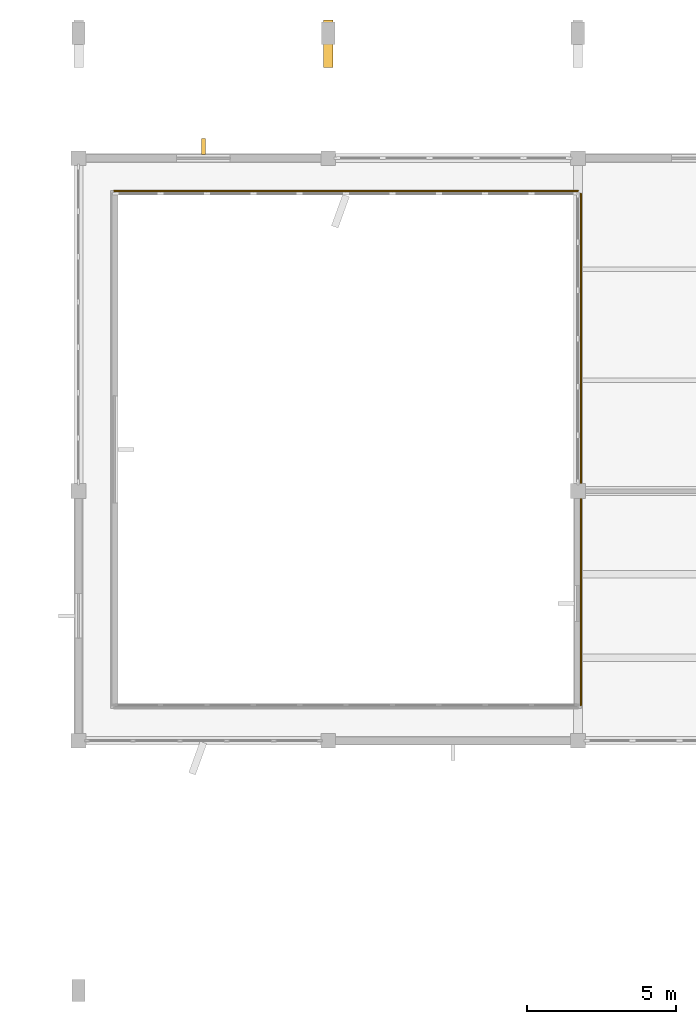
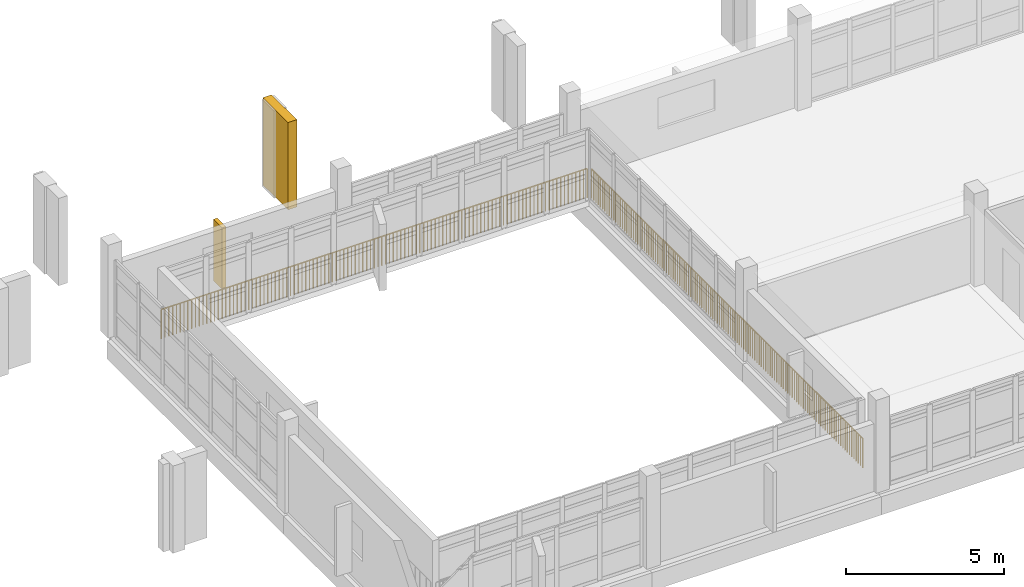
# One storey, part 95 of 104: 2 railings, 1 covering, 1 shading device.
"""IFC4 building model written with IfcOpenShell, lengths in metres."""

from ifc_helpers import new_model, si_unit, direction, frame, origin, origin_2d, place, context, subcontext, project, spatial, rectangle, circle, extrude, material, layer, layer_set, type_object, element, save


model = new_model("IFC4")

# Units and contexts
model_context = context("Model", 3, precision=1e-05, world=origin(), true_north=direction((0.0, 1.0)))
body_context = subcontext(model_context, "Body", "Model", "MODEL_VIEW")
ifc_project = project(units=[si_unit("LENGTHUNIT", "METRE"), si_unit("AREAUNIT", "SQUARE_METRE"), si_unit("VOLUMEUNIT", "CUBIC_METRE"), si_unit("PLANEANGLEUNIT", "RADIAN"), si_unit("MASSUNIT", "GRAM", prefix="KILO")], contexts=[model_context])

# Site, building, storey
site_placement = place(None, origin())
site = spatial("IfcSite", under=ifc_project, at=site_placement, CompositionType="ELEMENT")
building_placement = place(site_placement, origin())
building = spatial("IfcBuilding", under=site, at=building_placement, Name="Vanh Quang Courtyard School", CompositionType="ELEMENT")
storey_placement = place(building_placement, frame((0.0, 0.0, 4.199951171875)))
storey = spatial("IfcBuildingStorey", under=building, at=storey_placement, Name="L01", CompositionType="ELEMENT", Elevation=4.199951171875)

# Covering
ifc_material_1 = material(Name="Board-marked precast concrete C40/50", Category="concrete")
ifc_layer = layer(ifc_material_1, 0.239990234375)
ifc_layer_set = layer_set([ifc_layer], Name="Board-marked precast concrete C40/50")
covering_type = type_object("IfcCoveringType", Name="COV-HOOD-CONC", PredefinedType="CLADDING", material=ifc_layer_set)
covering_placement = place(storey_placement, frame((12.60009765625, 111.64990234375, 0.0), z_axis=(0.0, 0.0, 1.0), x_axis=(0.0, 1.0, 0.0)))
element("IfcCovering", 1, at=covering_placement, inside=storey, type_object=covering_type, Name="Covering CH-01 (L01)", PredefinedType="CLADDING", context=body_context, shape_type="SweptSolid", body=[
    extrude(rectangle(XDim=1.60009765625, YDim=0.320068359375, at=origin_2d()), origin(), (0.0, 0.0, 1.0), 3.3798828125),
])

# Railings
ifc_material_2 = material(Name="Galvanised painted steel EN 10025-2 S355J2", Category="steel")
railing_type = type_object("IfcRailingType", Name="RAIL-GUARD-1150", PredefinedType="BALUSTRADE", material=ifc_material_2)
railing_1_placement = place(storey_placement, frame((21.10009765625, 89.39990234375, 0.0)))
element("IfcRailing", 2, at=railing_1_placement, inside=storey, type_object=railing_type, Name="Railing GR-01 (L01)", PredefinedType="BALUSTRADE", context=body_context, shape_type="SweptSolid", body=[
    extrude(circle(Radius=0.02392578125, at=origin_2d()), frame((0.0, 0.0, 1.1259765625), z_axis=(0.0, 1.0, 0.0), x_axis=(-1.0, 0.0, 0.0)), (0.0, 0.0, 1.0), 17.2001953125),
    extrude(circle(Radius=0.02099609375, at=origin_2d()), origin(), (0.0, 0.0, 1.0), 1.101806640625),
    extrude(circle(Radius=0.02099609375, at=origin_2d()), frame((0.0, 0.139892578125, 0.0)), (0.0, 0.0, 1.0), 1.101806640625),
    extrude(circle(Radius=0.02099609375, at=origin_2d()), frame((0.0, 0.27978515625, 0.0)), (0.0, 0.0, 1.0), 1.101806640625),
    extrude(circle(Radius=0.02099609375, at=origin_2d()), frame((0.0, 0.41943359375, 0.0)), (0.0, 0.0, 1.0), 1.101806640625),
    extrude(circle(Radius=0.02099609375, at=origin_2d()), frame((0.0, 0.559326171875, 0.0)), (0.0, 0.0, 1.0), 1.101806640625),
    extrude(circle(Radius=0.02099609375, at=origin_2d()), frame((0.0, 0.69921875, 0.0)), (0.0, 0.0, 1.0), 1.101806640625),
    extrude(circle(Radius=0.02099609375, at=origin_2d()), frame((0.0, 0.839111328125, 0.0)), (0.0, 0.0, 1.0), 1.101806640625),
    extrude(circle(Radius=0.02099609375, at=origin_2d()), frame((0.0, 0.978759765625, 0.0)), (0.0, 0.0, 1.0), 1.101806640625),
    extrude(circle(Radius=0.02099609375, at=origin_2d()), frame((0.0, 1.11865234375, 0.0)), (0.0, 0.0, 1.0), 1.101806640625),
    extrude(circle(Radius=0.02099609375, at=origin_2d()), frame((0.0, 1.258544921875, 0.0)), (0.0, 0.0, 1.0), 1.101806640625),
    extrude(circle(Radius=0.02099609375, at=origin_2d()), frame((0.0, 1.3984375, 0.0)), (0.0, 0.0, 1.0), 1.101806640625),
    extrude(circle(Radius=0.02099609375, at=origin_2d()), frame((0.0, 1.538330078125, 0.0)), (0.0, 0.0, 1.0), 1.101806640625),
    extrude(circle(Radius=0.02099609375, at=origin_2d()), frame((0.0, 1.677978515625, 0.0)), (0.0, 0.0, 1.0), 1.101806640625),
    extrude(circle(Radius=0.02099609375, at=origin_2d()), frame((0.0, 1.81787109375, 0.0)), (0.0, 0.0, 1.0), 1.101806640625),
    extrude(circle(Radius=0.02099609375, at=origin_2d()), frame((0.0, 1.957763671875, 0.0)), (0.0, 0.0, 1.0), 1.101806640625),
    extrude(circle(Radius=0.02099609375, at=origin_2d()), frame((0.0, 2.09765625, 0.0)), (0.0, 0.0, 1.0), 1.101806640625),
    extrude(circle(Radius=0.02099609375, at=origin_2d()), frame((0.0, 2.2373046875, 0.0)), (0.0, 0.0, 1.0), 1.101806640625),
    extrude(circle(Radius=0.02099609375, at=origin_2d()), frame((0.0, 2.377197265625, 0.0)), (0.0, 0.0, 1.0), 1.101806640625),
    extrude(circle(Radius=0.02099609375, at=origin_2d()), frame((0.0, 2.51708984375, 0.0)), (0.0, 0.0, 1.0), 1.101806640625),
    extrude(circle(Radius=0.02099609375, at=origin_2d()), frame((0.0, 2.656982421875, 0.0)), (0.0, 0.0, 1.0), 1.101806640625),
    extrude(circle(Radius=0.02099609375, at=origin_2d()), frame((0.0, 2.796875, 0.0)), (0.0, 0.0, 1.0), 1.101806640625),
    extrude(circle(Radius=0.02099609375, at=origin_2d()), frame((0.0, 2.9365234375, 0.0)), (0.0, 0.0, 1.0), 1.101806640625),
    extrude(circle(Radius=0.02099609375, at=origin_2d()), frame((0.0, 3.076416015625, 0.0)), (0.0, 0.0, 1.0), 1.101806640625),
    extrude(circle(Radius=0.02099609375, at=origin_2d()), frame((0.0, 3.21630859375, 0.0)), (0.0, 0.0, 1.0), 1.101806640625),
    extrude(circle(Radius=0.02099609375, at=origin_2d()), frame((0.0, 3.356201171875, 0.0)), (0.0, 0.0, 1.0), 1.101806640625),
    extrude(circle(Radius=0.02099609375, at=origin_2d()), frame((0.0, 3.49609375, 0.0)), (0.0, 0.0, 1.0), 1.101806640625),
    extrude(circle(Radius=0.02099609375, at=origin_2d()), frame((0.0, 3.6357421875, 0.0)), (0.0, 0.0, 1.0), 1.101806640625),
    extrude(circle(Radius=0.02099609375, at=origin_2d()), frame((0.0, 3.775634765625, 0.0)), (0.0, 0.0, 1.0), 1.101806640625),
    extrude(circle(Radius=0.02099609375, at=origin_2d()), frame((0.0, 3.91552734375, 0.0)), (0.0, 0.0, 1.0), 1.101806640625),
    extrude(circle(Radius=0.02099609375, at=origin_2d()), frame((0.0, 4.055419921875, 0.0)), (0.0, 0.0, 1.0), 1.101806640625),
    extrude(circle(Radius=0.02099609375, at=origin_2d()), frame((0.0, 4.195068359375, 0.0)), (0.0, 0.0, 1.0), 1.101806640625),
    extrude(circle(Radius=0.02099609375, at=origin_2d()), frame((0.0, 4.3349609375, 0.0)), (0.0, 0.0, 1.0), 1.101806640625),
    extrude(circle(Radius=0.02099609375, at=origin_2d()), frame((0.0, 4.474853515625, 0.0)), (0.0, 0.0, 1.0), 1.101806640625),
    extrude(circle(Radius=0.02099609375, at=origin_2d()), frame((0.0, 4.61474609375, 0.0)), (0.0, 0.0, 1.0), 1.101806640625),
    extrude(circle(Radius=0.02099609375, at=origin_2d()), frame((0.0, 4.754638671875, 0.0)), (0.0, 0.0, 1.0), 1.101806640625),
    extrude(circle(Radius=0.02099609375, at=origin_2d()), frame((0.0, 4.894287109375, 0.0)), (0.0, 0.0, 1.0), 1.101806640625),
    extrude(circle(Radius=0.02099609375, at=origin_2d()), frame((0.0, 5.0341796875, 0.0)), (0.0, 0.0, 1.0), 1.101806640625),
    extrude(circle(Radius=0.02099609375, at=origin_2d()), frame((0.0, 5.174072265625, 0.0)), (0.0, 0.0, 1.0), 1.101806640625),
    extrude(circle(Radius=0.02099609375, at=origin_2d()), frame((0.0, 5.31396484375, 0.0)), (0.0, 0.0, 1.0), 1.101806640625),
    extrude(circle(Radius=0.02099609375, at=origin_2d()), frame((0.0, 5.45361328125, 0.0)), (0.0, 0.0, 1.0), 1.101806640625),
    extrude(circle(Radius=0.02099609375, at=origin_2d()), frame((0.0, 5.593505859375, 0.0)), (0.0, 0.0, 1.0), 1.101806640625),
    extrude(circle(Radius=0.02099609375, at=origin_2d()), frame((0.0, 5.7333984375, 0.0)), (0.0, 0.0, 1.0), 1.101806640625),
    extrude(circle(Radius=0.02099609375, at=origin_2d()), frame((0.0, 5.873291015625, 0.0)), (0.0, 0.0, 1.0), 1.101806640625),
    extrude(circle(Radius=0.02099609375, at=origin_2d()), frame((0.0, 6.01318359375, 0.0)), (0.0, 0.0, 1.0), 1.101806640625),
    extrude(circle(Radius=0.02099609375, at=origin_2d()), frame((0.0, 6.15283203125, 0.0)), (0.0, 0.0, 1.0), 1.101806640625),
    extrude(circle(Radius=0.02099609375, at=origin_2d()), frame((0.0, 6.292724609375, 0.0)), (0.0, 0.0, 1.0), 1.101806640625),
    extrude(circle(Radius=0.02099609375, at=origin_2d()), frame((0.0, 6.4326171875, 0.0)), (0.0, 0.0, 1.0), 1.101806640625),
    extrude(circle(Radius=0.02099609375, at=origin_2d()), frame((0.0, 6.572509765625, 0.0)), (0.0, 0.0, 1.0), 1.101806640625),
    extrude(circle(Radius=0.02099609375, at=origin_2d()), frame((0.0, 6.712158203125, 0.0)), (0.0, 0.0, 1.0), 1.101806640625),
    extrude(circle(Radius=0.02099609375, at=origin_2d()), frame((0.0, 6.85205078125, 0.0)), (0.0, 0.0, 1.0), 1.101806640625),
    extrude(circle(Radius=0.02099609375, at=origin_2d()), frame((0.0, 6.991943359375, 0.0)), (0.0, 0.0, 1.0), 1.101806640625),
    extrude(circle(Radius=0.02099609375, at=origin_2d()), frame((0.0, 7.1318359375, 0.0)), (0.0, 0.0, 1.0), 1.101806640625),
    extrude(circle(Radius=0.02099609375, at=origin_2d()), frame((0.0, 7.271728515625, 0.0)), (0.0, 0.0, 1.0), 1.101806640625),
    extrude(circle(Radius=0.02099609375, at=origin_2d()), frame((0.0, 7.411376953125, 0.0)), (0.0, 0.0, 1.0), 1.101806640625),
    extrude(circle(Radius=0.02099609375, at=origin_2d()), frame((0.0, 7.55126953125, 0.0)), (0.0, 0.0, 1.0), 1.101806640625),
    extrude(circle(Radius=0.02099609375, at=origin_2d()), frame((0.0, 7.691162109375, 0.0)), (0.0, 0.0, 1.0), 1.101806640625),
    extrude(circle(Radius=0.02099609375, at=origin_2d()), frame((0.0, 7.8310546875, 0.0)), (0.0, 0.0, 1.0), 1.101806640625),
    extrude(circle(Radius=0.02099609375, at=origin_2d()), frame((0.0, 7.970703125, 0.0)), (0.0, 0.0, 1.0), 1.101806640625),
    extrude(circle(Radius=0.02099609375, at=origin_2d()), frame((0.0, 8.110595703125, 0.0)), (0.0, 0.0, 1.0), 1.101806640625),
    extrude(circle(Radius=0.02099609375, at=origin_2d()), frame((0.0, 8.25048828125, 0.0)), (0.0, 0.0, 1.0), 1.101806640625),
    extrude(circle(Radius=0.02099609375, at=origin_2d()), frame((0.0, 8.390380859375, 0.0)), (0.0, 0.0, 1.0), 1.101806640625),
    extrude(circle(Radius=0.02099609375, at=origin_2d()), frame((0.0, 8.5302734375, 0.0)), (0.0, 0.0, 1.0), 1.101806640625),
    extrude(circle(Radius=0.02099609375, at=origin_2d()), frame((0.0, 8.669921875, 0.0)), (0.0, 0.0, 1.0), 1.101806640625),
    extrude(circle(Radius=0.02099609375, at=origin_2d()), frame((0.0, 8.809814453125, 0.0)), (0.0, 0.0, 1.0), 1.101806640625),
    extrude(circle(Radius=0.02099609375, at=origin_2d()), frame((0.0, 8.94970703125, 0.0)), (0.0, 0.0, 1.0), 1.101806640625),
    extrude(circle(Radius=0.02099609375, at=origin_2d()), frame((0.0, 9.089599609375, 0.0)), (0.0, 0.0, 1.0), 1.101806640625),
    extrude(circle(Radius=0.02099609375, at=origin_2d()), frame((0.0, 9.2294921875, 0.0)), (0.0, 0.0, 1.0), 1.101806640625),
    extrude(circle(Radius=0.02099609375, at=origin_2d()), frame((0.0, 9.369140625, 0.0)), (0.0, 0.0, 1.0), 1.101806640625),
    extrude(circle(Radius=0.02099609375, at=origin_2d()), frame((0.0, 9.509033203125, 0.0)), (0.0, 0.0, 1.0), 1.101806640625),
    extrude(circle(Radius=0.02099609375, at=origin_2d()), frame((0.0, 9.64892578125, 0.0)), (0.0, 0.0, 1.0), 1.101806640625),
    extrude(circle(Radius=0.02099609375, at=origin_2d()), frame((0.0, 9.788818359375, 0.0)), (0.0, 0.0, 1.0), 1.101806640625),
    extrude(circle(Radius=0.02099609375, at=origin_2d()), frame((0.0, 9.928466796875, 0.0)), (0.0, 0.0, 1.0), 1.101806640625),
    extrude(circle(Radius=0.02099609375, at=origin_2d()), frame((0.0, 10.068359375, 0.0)), (0.0, 0.0, 1.0), 1.101806640625),
    extrude(circle(Radius=0.02099609375, at=origin_2d()), frame((0.0, 10.208251953125, 0.0)), (0.0, 0.0, 1.0), 1.101806640625),
    extrude(circle(Radius=0.02099609375, at=origin_2d()), frame((0.0, 10.34814453125, 0.0)), (0.0, 0.0, 1.0), 1.101806640625),
    extrude(circle(Radius=0.02099609375, at=origin_2d()), frame((0.0, 10.488037109375, 0.0)), (0.0, 0.0, 1.0), 1.101806640625),
    extrude(circle(Radius=0.02099609375, at=origin_2d()), frame((0.0, 10.627685546875, 0.0)), (0.0, 0.0, 1.0), 1.101806640625),
    extrude(circle(Radius=0.02099609375, at=origin_2d()), frame((0.0, 10.767578125, 0.0)), (0.0, 0.0, 1.0), 1.101806640625),
    extrude(circle(Radius=0.02099609375, at=origin_2d()), frame((0.0, 10.907470703125, 0.0)), (0.0, 0.0, 1.0), 1.101806640625),
    extrude(circle(Radius=0.02099609375, at=origin_2d()), frame((0.0, 11.04736328125, 0.0)), (0.0, 0.0, 1.0), 1.101806640625),
    extrude(circle(Radius=0.02099609375, at=origin_2d()), frame((0.0, 11.18701171875, 0.0)), (0.0, 0.0, 1.0), 1.101806640625),
    extrude(circle(Radius=0.02099609375, at=origin_2d()), frame((0.0, 11.326904296875, 0.0)), (0.0, 0.0, 1.0), 1.101806640625),
    extrude(circle(Radius=0.02099609375, at=origin_2d()), frame((0.0, 11.466796875, 0.0)), (0.0, 0.0, 1.0), 1.101806640625),
    extrude(circle(Radius=0.02099609375, at=origin_2d()), frame((0.0, 11.606689453125, 0.0)), (0.0, 0.0, 1.0), 1.101806640625),
    extrude(circle(Radius=0.02099609375, at=origin_2d()), frame((0.0, 11.74658203125, 0.0)), (0.0, 0.0, 1.0), 1.101806640625),
    extrude(circle(Radius=0.02099609375, at=origin_2d()), frame((0.0, 11.88623046875, 0.0)), (0.0, 0.0, 1.0), 1.101806640625),
    extrude(circle(Radius=0.02099609375, at=origin_2d()), frame((0.0, 12.026123046875, 0.0)), (0.0, 0.0, 1.0), 1.101806640625),
    extrude(circle(Radius=0.02099609375, at=origin_2d()), frame((0.0, 12.166015625, 0.0)), (0.0, 0.0, 1.0), 1.101806640625),
    extrude(circle(Radius=0.02099609375, at=origin_2d()), frame((0.0, 12.305908203125, 0.0)), (0.0, 0.0, 1.0), 1.101806640625),
    extrude(circle(Radius=0.02099609375, at=origin_2d()), frame((0.0, 12.445556640625, 0.0)), (0.0, 0.0, 1.0), 1.101806640625),
    extrude(circle(Radius=0.02099609375, at=origin_2d()), frame((0.0, 12.58544921875, 0.0)), (0.0, 0.0, 1.0), 1.101806640625),
    extrude(circle(Radius=0.02099609375, at=origin_2d()), frame((0.0, 12.725341796875, 0.0)), (0.0, 0.0, 1.0), 1.101806640625),
    extrude(circle(Radius=0.02099609375, at=origin_2d()), frame((0.0, 12.865234375, 0.0)), (0.0, 0.0, 1.0), 1.101806640625),
    extrude(circle(Radius=0.02099609375, at=origin_2d()), frame((0.0, 13.005126953125, 0.0)), (0.0, 0.0, 1.0), 1.101806640625),
    extrude(circle(Radius=0.02099609375, at=origin_2d()), frame((0.0, 13.144775390625, 0.0)), (0.0, 0.0, 1.0), 1.101806640625),
    extrude(circle(Radius=0.02099609375, at=origin_2d()), frame((0.0, 13.28466796875, 0.0)), (0.0, 0.0, 1.0), 1.101806640625),
    extrude(circle(Radius=0.02099609375, at=origin_2d()), frame((0.0, 13.424560546875, 0.0)), (0.0, 0.0, 1.0), 1.101806640625),
    extrude(circle(Radius=0.02099609375, at=origin_2d()), frame((0.0, 13.564453125, 0.0)), (0.0, 0.0, 1.0), 1.101806640625),
    extrude(circle(Radius=0.02099609375, at=origin_2d()), frame((0.0, 13.7041015625, 0.0)), (0.0, 0.0, 1.0), 1.101806640625),
    extrude(circle(Radius=0.02099609375, at=origin_2d()), frame((0.0, 13.843994140625, 0.0)), (0.0, 0.0, 1.0), 1.101806640625),
    extrude(circle(Radius=0.02099609375, at=origin_2d()), frame((0.0, 13.98388671875, 0.0)), (0.0, 0.0, 1.0), 1.101806640625),
    extrude(circle(Radius=0.02099609375, at=origin_2d()), frame((0.0, 14.123779296875, 0.0)), (0.0, 0.0, 1.0), 1.101806640625),
    extrude(circle(Radius=0.02099609375, at=origin_2d()), frame((0.0, 14.263671875, 0.0)), (0.0, 0.0, 1.0), 1.101806640625),
    extrude(circle(Radius=0.02099609375, at=origin_2d()), frame((0.0, 14.4033203125, 0.0)), (0.0, 0.0, 1.0), 1.101806640625),
    extrude(circle(Radius=0.02099609375, at=origin_2d()), frame((0.0, 14.543212890625, 0.0)), (0.0, 0.0, 1.0), 1.101806640625),
    extrude(circle(Radius=0.02099609375, at=origin_2d()), frame((0.0, 14.68310546875, 0.0)), (0.0, 0.0, 1.0), 1.101806640625),
    extrude(circle(Radius=0.02099609375, at=origin_2d()), frame((0.0, 14.822998046875, 0.0)), (0.0, 0.0, 1.0), 1.101806640625),
    extrude(circle(Radius=0.02099609375, at=origin_2d()), frame((0.0, 14.962890625, 0.0)), (0.0, 0.0, 1.0), 1.101806640625),
    extrude(circle(Radius=0.02099609375, at=origin_2d()), frame((0.0, 15.1025390625, 0.0)), (0.0, 0.0, 1.0), 1.101806640625),
    extrude(circle(Radius=0.02099609375, at=origin_2d()), frame((0.0, 15.242431640625, 0.0)), (0.0, 0.0, 1.0), 1.101806640625),
    extrude(circle(Radius=0.02099609375, at=origin_2d()), frame((0.0, 15.38232421875, 0.0)), (0.0, 0.0, 1.0), 1.101806640625),
    extrude(circle(Radius=0.02099609375, at=origin_2d()), frame((0.0, 15.522216796875, 0.0)), (0.0, 0.0, 1.0), 1.101806640625),
    extrude(circle(Radius=0.02099609375, at=origin_2d()), frame((0.0, 15.661865234375, 0.0)), (0.0, 0.0, 1.0), 1.101806640625),
    extrude(circle(Radius=0.02099609375, at=origin_2d()), frame((0.0, 15.8017578125, 0.0)), (0.0, 0.0, 1.0), 1.101806640625),
    extrude(circle(Radius=0.02099609375, at=origin_2d()), frame((0.0, 15.941650390625, 0.0)), (0.0, 0.0, 1.0), 1.101806640625),
    extrude(circle(Radius=0.02099609375, at=origin_2d()), frame((0.0, 16.08154296875, 0.0)), (0.0, 0.0, 1.0), 1.101806640625),
    extrude(circle(Radius=0.02099609375, at=origin_2d()), frame((0.0, 16.221435546875, 0.0)), (0.0, 0.0, 1.0), 1.101806640625),
    extrude(circle(Radius=0.02099609375, at=origin_2d()), frame((0.0, 16.361083984375, 0.0)), (0.0, 0.0, 1.0), 1.101806640625),
    extrude(circle(Radius=0.02099609375, at=origin_2d()), frame((0.0, 16.5009765625, 0.0)), (0.0, 0.0, 1.0), 1.101806640625),
    extrude(circle(Radius=0.02099609375, at=origin_2d()), frame((0.0, 16.640869140625, 0.0)), (0.0, 0.0, 1.0), 1.101806640625),
    extrude(circle(Radius=0.02099609375, at=origin_2d()), frame((0.0, 16.78076171875, 0.0)), (0.0, 0.0, 1.0), 1.101806640625),
    extrude(circle(Radius=0.02099609375, at=origin_2d()), frame((0.0, 16.92041015625, 0.0)), (0.0, 0.0, 1.0), 1.101806640625),
    extrude(circle(Radius=0.02099609375, at=origin_2d()), frame((0.0, 17.060302734375, 0.0)), (0.0, 0.0, 1.0), 1.101806640625),
    extrude(circle(Radius=0.02099609375, at=origin_2d()), frame((0.0, 17.2001953125, 0.0)), (0.0, 0.0, 1.0), 1.101806640625),
])
railing_2_placement = place(storey_placement, frame((21.0, 106.699951171875, 0.0)))
element("IfcRailing", 3, at=railing_2_placement, inside=storey, type_object=railing_type, Name="Railing GR-01 (L01)", PredefinedType="BALUSTRADE", context=body_context, shape_type="SweptSolid", body=[
    extrude(circle(Radius=0.02392578125, at=origin_2d()), frame((0.0, 0.0, 1.1259765625), z_axis=(-1.0, 0.0, 0.0), x_axis=(0.0, -1.0, 0.0)), (0.0, 0.0, 1.0), 15.60009765625),
    extrude(circle(Radius=0.02099609375, at=origin_2d()), origin(), (0.0, 0.0, 1.0), 1.101806640625),
    extrude(circle(Radius=0.02099609375, at=origin_2d()), frame((-0.139404296875, 0.0, 0.0)), (0.0, 0.0, 1.0), 1.101806640625),
    extrude(circle(Radius=0.02099609375, at=origin_2d()), frame((-0.278564453125, 0.0, 0.0)), (0.0, 0.0, 1.0), 1.101806640625),
    extrude(circle(Radius=0.02099609375, at=origin_2d()), frame((-0.41796875, 0.0, 0.0)), (0.0, 0.0, 1.0), 1.101806640625),
    extrude(circle(Radius=0.02099609375, at=origin_2d()), frame((-0.55712890625, 0.0, 0.0)), (0.0, 0.0, 1.0), 1.101806640625),
    extrude(circle(Radius=0.02099609375, at=origin_2d()), frame((-0.696533203125, 0.0, 0.0)), (0.0, 0.0, 1.0), 1.101806640625),
    extrude(circle(Radius=0.02099609375, at=origin_2d()), frame((-0.835693359375, 0.0, 0.0)), (0.0, 0.0, 1.0), 1.101806640625),
    extrude(circle(Radius=0.02099609375, at=origin_2d()), frame((-0.97509765625, 0.0, 0.0)), (0.0, 0.0, 1.0), 1.101806640625),
    extrude(circle(Radius=0.02099609375, at=origin_2d()), frame((-1.1142578125, 0.0, 0.0)), (0.0, 0.0, 1.0), 1.101806640625),
    extrude(circle(Radius=0.02099609375, at=origin_2d()), frame((-1.253662109375, 0.0, 0.0)), (0.0, 0.0, 1.0), 1.101806640625),
    extrude(circle(Radius=0.02099609375, at=origin_2d()), frame((-1.392822265625, 0.0, 0.0)), (0.0, 0.0, 1.0), 1.101806640625),
    extrude(circle(Radius=0.02099609375, at=origin_2d()), frame((-1.5322265625, 0.0, 0.0)), (0.0, 0.0, 1.0), 1.101806640625),
    extrude(circle(Radius=0.02099609375, at=origin_2d()), frame((-1.67138671875, 0.0, 0.0)), (0.0, 0.0, 1.0), 1.101806640625),
    extrude(circle(Radius=0.02099609375, at=origin_2d()), frame((-1.810791015625, 0.0, 0.0)), (0.0, 0.0, 1.0), 1.101806640625),
    extrude(circle(Radius=0.02099609375, at=origin_2d()), frame((-1.949951171875, 0.0, 0.0)), (0.0, 0.0, 1.0), 1.101806640625),
    extrude(circle(Radius=0.02099609375, at=origin_2d()), frame((-2.08935546875, 0.0, 0.0)), (0.0, 0.0, 1.0), 1.101806640625),
    extrude(circle(Radius=0.02099609375, at=origin_2d()), frame((-2.228515625, 0.0, 0.0)), (0.0, 0.0, 1.0), 1.101806640625),
    extrude(circle(Radius=0.02099609375, at=origin_2d()), frame((-2.367919921875, 0.0, 0.0)), (0.0, 0.0, 1.0), 1.101806640625),
    extrude(circle(Radius=0.02099609375, at=origin_2d()), frame((-2.507080078125, 0.0, 0.0)), (0.0, 0.0, 1.0), 1.101806640625),
    extrude(circle(Radius=0.02099609375, at=origin_2d()), frame((-2.646484375, 0.0, 0.0)), (0.0, 0.0, 1.0), 1.101806640625),
    extrude(circle(Radius=0.02099609375, at=origin_2d()), frame((-2.78564453125, 0.0, 0.0)), (0.0, 0.0, 1.0), 1.101806640625),
    extrude(circle(Radius=0.02099609375, at=origin_2d()), frame((-2.925048828125, 0.0, 0.0)), (0.0, 0.0, 1.0), 1.101806640625),
    extrude(circle(Radius=0.02099609375, at=origin_2d()), frame((-3.064208984375, 0.0, 0.0)), (0.0, 0.0, 1.0), 1.101806640625),
    extrude(circle(Radius=0.02099609375, at=origin_2d()), frame((-3.20361328125, 0.0, 0.0)), (0.0, 0.0, 1.0), 1.101806640625),
    extrude(circle(Radius=0.02099609375, at=origin_2d()), frame((-3.3427734375, 0.0, 0.0)), (0.0, 0.0, 1.0), 1.101806640625),
    extrude(circle(Radius=0.02099609375, at=origin_2d()), frame((-3.482177734375, 0.0, 0.0)), (0.0, 0.0, 1.0), 1.101806640625),
    extrude(circle(Radius=0.02099609375, at=origin_2d()), frame((-3.621337890625, 0.0, 0.0)), (0.0, 0.0, 1.0), 1.101806640625),
    extrude(circle(Radius=0.02099609375, at=origin_2d()), frame((-3.7607421875, 0.0, 0.0)), (0.0, 0.0, 1.0), 1.101806640625),
    extrude(circle(Radius=0.02099609375, at=origin_2d()), frame((-3.89990234375, 0.0, 0.0)), (0.0, 0.0, 1.0), 1.101806640625),
    extrude(circle(Radius=0.02099609375, at=origin_2d()), frame((-4.039306640625, 0.0, 0.0)), (0.0, 0.0, 1.0), 1.101806640625),
    extrude(circle(Radius=0.02099609375, at=origin_2d()), frame((-4.1787109375, 0.0, 0.0)), (0.0, 0.0, 1.0), 1.101806640625),
    extrude(circle(Radius=0.02099609375, at=origin_2d()), frame((-4.31787109375, 0.0, 0.0)), (0.0, 0.0, 1.0), 1.101806640625),
    extrude(circle(Radius=0.02099609375, at=origin_2d()), frame((-4.457275390625, 0.0, 0.0)), (0.0, 0.0, 1.0), 1.101806640625),
    extrude(circle(Radius=0.02099609375, at=origin_2d()), frame((-4.596435546875, 0.0, 0.0)), (0.0, 0.0, 1.0), 1.101806640625),
    extrude(circle(Radius=0.02099609375, at=origin_2d()), frame((-4.73583984375, 0.0, 0.0)), (0.0, 0.0, 1.0), 1.101806640625),
    extrude(circle(Radius=0.02099609375, at=origin_2d()), frame((-4.875, 0.0, 0.0)), (0.0, 0.0, 1.0), 1.101806640625),
    extrude(circle(Radius=0.02099609375, at=origin_2d()), frame((-5.014404296875, 0.0, 0.0)), (0.0, 0.0, 1.0), 1.101806640625),
    extrude(circle(Radius=0.02099609375, at=origin_2d()), frame((-5.153564453125, 0.0, 0.0)), (0.0, 0.0, 1.0), 1.101806640625),
    extrude(circle(Radius=0.02099609375, at=origin_2d()), frame((-5.29296875, 0.0, 0.0)), (0.0, 0.0, 1.0), 1.101806640625),
    extrude(circle(Radius=0.02099609375, at=origin_2d()), frame((-5.43212890625, 0.0, 0.0)), (0.0, 0.0, 1.0), 1.101806640625),
    extrude(circle(Radius=0.02099609375, at=origin_2d()), frame((-5.571533203125, 0.0, 0.0)), (0.0, 0.0, 1.0), 1.101806640625),
    extrude(circle(Radius=0.02099609375, at=origin_2d()), frame((-5.710693359375, 0.0, 0.0)), (0.0, 0.0, 1.0), 1.101806640625),
    extrude(circle(Radius=0.02099609375, at=origin_2d()), frame((-5.85009765625, 0.0, 0.0)), (0.0, 0.0, 1.0), 1.101806640625),
    extrude(circle(Radius=0.02099609375, at=origin_2d()), frame((-5.9892578125, 0.0, 0.0)), (0.0, 0.0, 1.0), 1.101806640625),
    extrude(circle(Radius=0.02099609375, at=origin_2d()), frame((-6.128662109375, 0.0, 0.0)), (0.0, 0.0, 1.0), 1.101806640625),
    extrude(circle(Radius=0.02099609375, at=origin_2d()), frame((-6.267822265625, 0.0, 0.0)), (0.0, 0.0, 1.0), 1.101806640625),
    extrude(circle(Radius=0.02099609375, at=origin_2d()), frame((-6.4072265625, 0.0, 0.0)), (0.0, 0.0, 1.0), 1.101806640625),
    extrude(circle(Radius=0.02099609375, at=origin_2d()), frame((-6.54638671875, 0.0, 0.0)), (0.0, 0.0, 1.0), 1.101806640625),
    extrude(circle(Radius=0.02099609375, at=origin_2d()), frame((-6.685791015625, 0.0, 0.0)), (0.0, 0.0, 1.0), 1.101806640625),
    extrude(circle(Radius=0.02099609375, at=origin_2d()), frame((-6.824951171875, 0.0, 0.0)), (0.0, 0.0, 1.0), 1.101806640625),
    extrude(circle(Radius=0.02099609375, at=origin_2d()), frame((-6.96435546875, 0.0, 0.0)), (0.0, 0.0, 1.0), 1.101806640625),
    extrude(circle(Radius=0.02099609375, at=origin_2d()), frame((-7.103515625, 0.0, 0.0)), (0.0, 0.0, 1.0), 1.101806640625),
    extrude(circle(Radius=0.02099609375, at=origin_2d()), frame((-7.242919921875, 0.0, 0.0)), (0.0, 0.0, 1.0), 1.101806640625),
    extrude(circle(Radius=0.02099609375, at=origin_2d()), frame((-7.382080078125, 0.0, 0.0)), (0.0, 0.0, 1.0), 1.101806640625),
    extrude(circle(Radius=0.02099609375, at=origin_2d()), frame((-7.521484375, 0.0, 0.0)), (0.0, 0.0, 1.0), 1.101806640625),
    extrude(circle(Radius=0.02099609375, at=origin_2d()), frame((-7.66064453125, 0.0, 0.0)), (0.0, 0.0, 1.0), 1.101806640625),
    extrude(circle(Radius=0.02099609375, at=origin_2d()), frame((-7.800048828125, 0.0, 0.0)), (0.0, 0.0, 1.0), 1.101806640625),
    extrude(circle(Radius=0.02099609375, at=origin_2d()), frame((-7.939453125, 0.0, 0.0)), (0.0, 0.0, 1.0), 1.101806640625),
    extrude(circle(Radius=0.02099609375, at=origin_2d()), frame((-8.07861328125, 0.0, 0.0)), (0.0, 0.0, 1.0), 1.101806640625),
    extrude(circle(Radius=0.02099609375, at=origin_2d()), frame((-8.218017578125, 0.0, 0.0)), (0.0, 0.0, 1.0), 1.101806640625),
    extrude(circle(Radius=0.02099609375, at=origin_2d()), frame((-8.357177734375, 0.0, 0.0)), (0.0, 0.0, 1.0), 1.101806640625),
    extrude(circle(Radius=0.02099609375, at=origin_2d()), frame((-8.49658203125, 0.0, 0.0)), (0.0, 0.0, 1.0), 1.101806640625),
    extrude(circle(Radius=0.02099609375, at=origin_2d()), frame((-8.6357421875, 0.0, 0.0)), (0.0, 0.0, 1.0), 1.101806640625),
    extrude(circle(Radius=0.02099609375, at=origin_2d()), frame((-8.775146484375, 0.0, 0.0)), (0.0, 0.0, 1.0), 1.101806640625),
    extrude(circle(Radius=0.02099609375, at=origin_2d()), frame((-8.914306640625, 0.0, 0.0)), (0.0, 0.0, 1.0), 1.101806640625),
    extrude(circle(Radius=0.02099609375, at=origin_2d()), frame((-9.0537109375, 0.0, 0.0)), (0.0, 0.0, 1.0), 1.101806640625),
    extrude(circle(Radius=0.02099609375, at=origin_2d()), frame((-9.19287109375, 0.0, 0.0)), (0.0, 0.0, 1.0), 1.101806640625),
    extrude(circle(Radius=0.02099609375, at=origin_2d()), frame((-9.332275390625, 0.0, 0.0)), (0.0, 0.0, 1.0), 1.101806640625),
    extrude(circle(Radius=0.02099609375, at=origin_2d()), frame((-9.471435546875, 0.0, 0.0)), (0.0, 0.0, 1.0), 1.101806640625),
    extrude(circle(Radius=0.02099609375, at=origin_2d()), frame((-9.61083984375, 0.0, 0.0)), (0.0, 0.0, 1.0), 1.101806640625),
    extrude(circle(Radius=0.02099609375, at=origin_2d()), frame((-9.75, 0.0, 0.0)), (0.0, 0.0, 1.0), 1.101806640625),
    extrude(circle(Radius=0.02099609375, at=origin_2d()), frame((-9.889404296875, 0.0, 0.0)), (0.0, 0.0, 1.0), 1.101806640625),
    extrude(circle(Radius=0.02099609375, at=origin_2d()), frame((-10.028564453125, 0.0, 0.0)), (0.0, 0.0, 1.0), 1.101806640625),
    extrude(circle(Radius=0.02099609375, at=origin_2d()), frame((-10.16796875, 0.0, 0.0)), (0.0, 0.0, 1.0), 1.101806640625),
    extrude(circle(Radius=0.02099609375, at=origin_2d()), frame((-10.30712890625, 0.0, 0.0)), (0.0, 0.0, 1.0), 1.101806640625),
    extrude(circle(Radius=0.02099609375, at=origin_2d()), frame((-10.446533203125, 0.0, 0.0)), (0.0, 0.0, 1.0), 1.101806640625),
    extrude(circle(Radius=0.02099609375, at=origin_2d()), frame((-10.585693359375, 0.0, 0.0)), (0.0, 0.0, 1.0), 1.101806640625),
    extrude(circle(Radius=0.02099609375, at=origin_2d()), frame((-10.72509765625, 0.0, 0.0)), (0.0, 0.0, 1.0), 1.101806640625),
    extrude(circle(Radius=0.02099609375, at=origin_2d()), frame((-10.8642578125, 0.0, 0.0)), (0.0, 0.0, 1.0), 1.101806640625),
    extrude(circle(Radius=0.02099609375, at=origin_2d()), frame((-11.003662109375, 0.0, 0.0)), (0.0, 0.0, 1.0), 1.101806640625),
    extrude(circle(Radius=0.02099609375, at=origin_2d()), frame((-11.142822265625, 0.0, 0.0)), (0.0, 0.0, 1.0), 1.101806640625),
    extrude(circle(Radius=0.02099609375, at=origin_2d()), frame((-11.2822265625, 0.0, 0.0)), (0.0, 0.0, 1.0), 1.101806640625),
    extrude(circle(Radius=0.02099609375, at=origin_2d()), frame((-11.42138671875, 0.0, 0.0)), (0.0, 0.0, 1.0), 1.101806640625),
    extrude(circle(Radius=0.02099609375, at=origin_2d()), frame((-11.560791015625, 0.0, 0.0)), (0.0, 0.0, 1.0), 1.101806640625),
    extrude(circle(Radius=0.02099609375, at=origin_2d()), frame((-11.7001953125, 0.0, 0.0)), (0.0, 0.0, 1.0), 1.101806640625),
    extrude(circle(Radius=0.02099609375, at=origin_2d()), frame((-11.83935546875, 0.0, 0.0)), (0.0, 0.0, 1.0), 1.101806640625),
    extrude(circle(Radius=0.02099609375, at=origin_2d()), frame((-11.978759765625, 0.0, 0.0)), (0.0, 0.0, 1.0), 1.101806640625),
    extrude(circle(Radius=0.02099609375, at=origin_2d()), frame((-12.117919921875, 0.0, 0.0)), (0.0, 0.0, 1.0), 1.101806640625),
    extrude(circle(Radius=0.02099609375, at=origin_2d()), frame((-12.25732421875, 0.0, 0.0)), (0.0, 0.0, 1.0), 1.101806640625),
    extrude(circle(Radius=0.02099609375, at=origin_2d()), frame((-12.396484375, 0.0, 0.0)), (0.0, 0.0, 1.0), 1.101806640625),
    extrude(circle(Radius=0.02099609375, at=origin_2d()), frame((-12.535888671875, 0.0, 0.0)), (0.0, 0.0, 1.0), 1.101806640625),
    extrude(circle(Radius=0.02099609375, at=origin_2d()), frame((-12.675048828125, 0.0, 0.0)), (0.0, 0.0, 1.0), 1.101806640625),
    extrude(circle(Radius=0.02099609375, at=origin_2d()), frame((-12.814453125, 0.0, 0.0)), (0.0, 0.0, 1.0), 1.101806640625),
    extrude(circle(Radius=0.02099609375, at=origin_2d()), frame((-12.95361328125, 0.0, 0.0)), (0.0, 0.0, 1.0), 1.101806640625),
    extrude(circle(Radius=0.02099609375, at=origin_2d()), frame((-13.093017578125, 0.0, 0.0)), (0.0, 0.0, 1.0), 1.101806640625),
    extrude(circle(Radius=0.02099609375, at=origin_2d()), frame((-13.232177734375, 0.0, 0.0)), (0.0, 0.0, 1.0), 1.101806640625),
    extrude(circle(Radius=0.02099609375, at=origin_2d()), frame((-13.37158203125, 0.0, 0.0)), (0.0, 0.0, 1.0), 1.101806640625),
    extrude(circle(Radius=0.02099609375, at=origin_2d()), frame((-13.5107421875, 0.0, 0.0)), (0.0, 0.0, 1.0), 1.101806640625),
    extrude(circle(Radius=0.02099609375, at=origin_2d()), frame((-13.650146484375, 0.0, 0.0)), (0.0, 0.0, 1.0), 1.101806640625),
    extrude(circle(Radius=0.02099609375, at=origin_2d()), frame((-13.789306640625, 0.0, 0.0)), (0.0, 0.0, 1.0), 1.101806640625),
    extrude(circle(Radius=0.02099609375, at=origin_2d()), frame((-13.9287109375, 0.0, 0.0)), (0.0, 0.0, 1.0), 1.101806640625),
    extrude(circle(Radius=0.02099609375, at=origin_2d()), frame((-14.06787109375, 0.0, 0.0)), (0.0, 0.0, 1.0), 1.101806640625),
    extrude(circle(Radius=0.02099609375, at=origin_2d()), frame((-14.207275390625, 0.0, 0.0)), (0.0, 0.0, 1.0), 1.101806640625),
    extrude(circle(Radius=0.02099609375, at=origin_2d()), frame((-14.346435546875, 0.0, 0.0)), (0.0, 0.0, 1.0), 1.101806640625),
    extrude(circle(Radius=0.02099609375, at=origin_2d()), frame((-14.48583984375, 0.0, 0.0)), (0.0, 0.0, 1.0), 1.101806640625),
    extrude(circle(Radius=0.02099609375, at=origin_2d()), frame((-14.625, 0.0, 0.0)), (0.0, 0.0, 1.0), 1.101806640625),
    extrude(circle(Radius=0.02099609375, at=origin_2d()), frame((-14.764404296875, 0.0, 0.0)), (0.0, 0.0, 1.0), 1.101806640625),
    extrude(circle(Radius=0.02099609375, at=origin_2d()), frame((-14.903564453125, 0.0, 0.0)), (0.0, 0.0, 1.0), 1.101806640625),
    extrude(circle(Radius=0.02099609375, at=origin_2d()), frame((-15.04296875, 0.0, 0.0)), (0.0, 0.0, 1.0), 1.101806640625),
    extrude(circle(Radius=0.02099609375, at=origin_2d()), frame((-15.18212890625, 0.0, 0.0)), (0.0, 0.0, 1.0), 1.101806640625),
    extrude(circle(Radius=0.02099609375, at=origin_2d()), frame((-15.321533203125, 0.0, 0.0)), (0.0, 0.0, 1.0), 1.101806640625),
    extrude(circle(Radius=0.02099609375, at=origin_2d()), frame((-15.460693359375, 0.0, 0.0)), (0.0, 0.0, 1.0), 1.101806640625),
    extrude(circle(Radius=0.02099609375, at=origin_2d()), frame((-15.60009765625, 0.0, 0.0)), (0.0, 0.0, 1.0), 1.101806640625),
])

# Shading device
shading_device_type = type_object("IfcShadingDeviceType", Name="SHD-FIN-CONCRETE", PredefinedType="USERDEFINED", material=ifc_material_1)
shading_device_placement = place(storey_placement, frame((8.39990234375, 108.195068359375, 0.14990234375), z_axis=(0.0, 0.0, 1.0), x_axis=(1.0, 0.0, 0.0)))
element("IfcShadingDevice", 4, at=shading_device_placement, inside=storey, type_object=shading_device_type, Name="Solar Shading SH-02 (L01)", ObjectType="Solar Shading SH-02 (L01)", PredefinedType="USERDEFINED", context=body_context, shape_type="SweptSolid", body=[
    extrude(rectangle(XDim=0.139892578125, YDim=0.550048828125, at=origin_2d()), origin(), (0.0, 0.0, 1.0), 2.3701171875),
])

save(model, "model.ifc")
